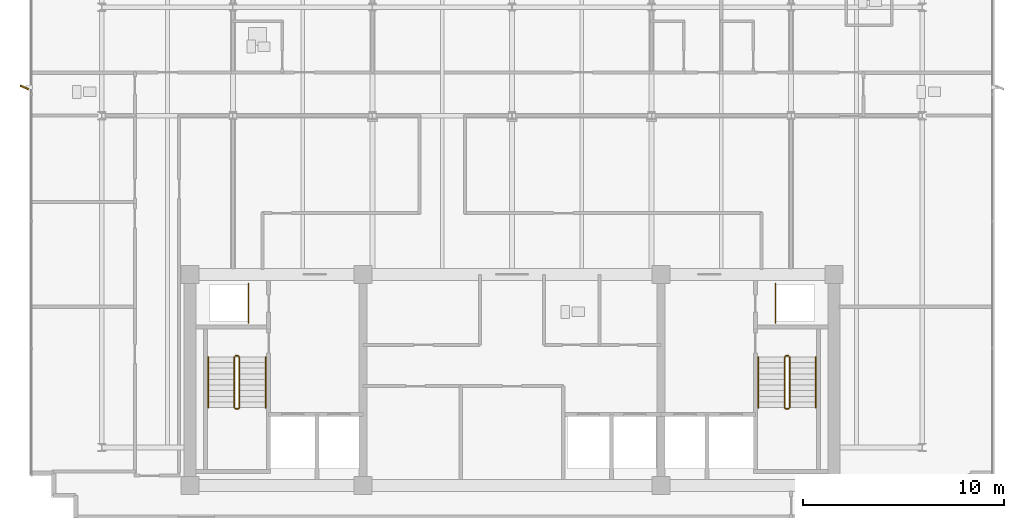
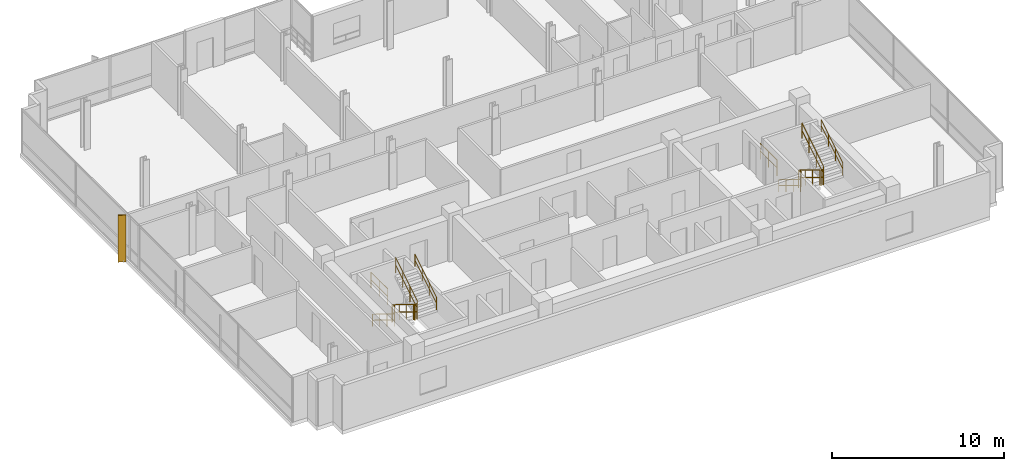
# One storey, part 15 of 17: 14 railings, 1 shading device.
"""IFC4 building model written with IfcOpenShell, lengths in metres."""

from ifc_helpers import new_model, si_unit, direction, frame, origin, origin_2d, place, context, subcontext, project, spatial, rectangle, circle, extrude, material, layer, layer_set, type_object, element, save


model = new_model("IFC4")

# Units and contexts
model_context = context("Model", 3, precision=1e-05, world=origin(), true_north=direction((0.0, 1.0)))
body_context = subcontext(model_context, "Body", "Model", "MODEL_VIEW")
ifc_project = project(units=[si_unit("LENGTHUNIT", "METRE"), si_unit("AREAUNIT", "SQUARE_METRE"), si_unit("VOLUMEUNIT", "CUBIC_METRE"), si_unit("PLANEANGLEUNIT", "RADIAN"), si_unit("MASSUNIT", "GRAM", prefix="KILO")], contexts=[model_context])

# Site, building, storey
site_placement = place(None, origin())
site = spatial("IfcSite", under=ifc_project, at=site_placement, CompositionType="ELEMENT")
building_placement = place(site_placement, origin())
building = spatial("IfcBuilding", under=site, at=building_placement, Name="Solmavex Isthmus Hotel", CompositionType="ELEMENT")
storey_placement = place(building_placement, frame((0.0, 0.0, 269.550048828125)))
storey = spatial("IfcBuildingStorey", under=building, at=storey_placement, Name="L73", CompositionType="ELEMENT", Elevation=269.550048828125)

# Railings
ifc_material_1 = material(Name="Clear low-E laminated glass", Category="glass")
ifc_layer_1 = layer(ifc_material_1, 0.080078125)
ifc_layer_set_1 = layer_set([ifc_layer_1], Name="Clear low-E laminated glass")
railing_type_1 = type_object("IfcRailingType", Name="RAIL-ATRIUM-1120", PredefinedType="BALUSTRADE", material=ifc_layer_set_1)
for number, where, name in (
    (1, (-13.10009765625, -4.89990234375, 0.0), "Guardrail Balustrade L73-RSW-01"),
    (2, (13.10009765625, -4.89990234375, 0.0), "Guardrail Balustrade L73-RSE-01"),
):
    element("IfcRailing", number, at=place(storey_placement, frame(where)), inside=storey, type_object=railing_type_1, Name=name, PredefinedType="BALUSTRADE", context=body_context, shape_type="SweptSolid", body=[
        extrude(circle(Radius=0.02392578125, at=origin_2d()), frame((0.0, 0.0, 1.1259765625), z_axis=(0.0, 1.0, 0.0), x_axis=(-1.0, 0.0, 0.0)), (0.0, 0.0, 1.0), 1.949951171875),
        extrude(circle(Radius=0.02392578125, at=origin_2d()), frame((0.0, 0.0, 0.574951171875), z_axis=(0.0, 1.0, 0.0), x_axis=(-1.0, 0.0, 0.0)), (0.0, 0.0, 1.0), 1.949951171875),
        extrude(circle(Radius=0.02099609375, at=origin_2d()), origin(), (0.0, 0.0, 1.0), 1.101806640625),
        extrude(circle(Radius=0.02099609375, at=origin_2d()), frame((0.0, 0.97509765625, 0.0)), (0.0, 0.0, 1.0), 1.101806640625),
        extrude(circle(Radius=0.02099609375, at=origin_2d()), frame((0.0, 1.949951171875, 0.0)), (0.0, 0.0, 1.0), 1.101806640625),
    ])
ifc_material_2 = material(Name="Stainless steel 316", Category="steel")
ifc_layer_2 = layer(ifc_material_2, 0.06005859375)
ifc_layer_set_2 = layer_set([ifc_layer_2], Name="Stainless steel 316")
railing_type_2 = type_object("IfcRailingType", Name="RAIL-STAIR-GD", PredefinedType="GUARDRAIL", material=ifc_layer_set_2)
railing_1_placement = place(storey_placement, frame((-13.800048828125, -6.60009765625, 0.17236328125)))
element("IfcRailing", 3, at=railing_1_placement, inside=storey, type_object=railing_type_2, Name="L73 ST-1 stair guard 1", PredefinedType="GUARDRAIL", context=body_context, shape_type="SweptSolid", body=[
    extrude(circle(Radius=0.02392578125, at=origin_2d()), frame((0.0, 0.0, 1.09619140625), z_axis=(0.0, -0.851400495292, 0.524516154772), x_axis=(1.0, 0.0, 0.0)), (0.0, 0.0, 1.0), 2.9599609375),
    extrude(circle(Radius=0.02392578125, at=origin_2d()), frame((0.0, 0.0, 0.56005859375), z_axis=(0.0, -0.851400495292, 0.524516154772), x_axis=(1.0, 0.0, 0.0)), (0.0, 0.0, 1.0), 2.9599609375),
    extrude(circle(Radius=0.02099609375, at=origin_2d()), origin(), (0.0, 0.0, 1.0), 1.072021484375),
    extrude(circle(Radius=0.02099609375, at=origin_2d()), frame((0.0, -0.840087890625, 0.517578125)), (0.0, 0.0, 1.0), 1.072021484375),
    extrude(circle(Radius=0.02099609375, at=origin_2d()), frame((0.0, -1.679931640625, 1.034912109375)), (0.0, 0.0, 1.0), 1.072021484375),
    extrude(circle(Radius=0.02099609375, at=origin_2d()), frame((0.0, -2.52001953125, 1.552490234375)), (0.0, 0.0, 1.0), 1.072021484375),
])
railing_2_placement = place(storey_placement, frame((-13.75, -9.169921875, 1.724853515625)))
element("IfcRailing", 4, at=railing_2_placement, inside=storey, type_object=railing_type_2, Name="L73 ST-1 stair guard 2", PredefinedType="GUARDRAIL", context=body_context, shape_type="SweptSolid", body=[
    extrude(circle(Radius=0.02392578125, at=origin_2d()), frame((0.0, 0.0, 1.09619140625), z_axis=(1.0, 0.0, 0.0), x_axis=(0.0, 1.0, 0.0)), (0.0, 0.0, 1.0), 0.14990234375),
    extrude(circle(Radius=0.02392578125, at=origin_2d()), frame((0.0, 0.0, 0.56005859375), z_axis=(1.0, 0.0, 0.0), x_axis=(0.0, 1.0, 0.0)), (0.0, 0.0, 1.0), 0.14990234375),
    extrude(circle(Radius=0.02099609375, at=origin_2d()), origin(), (0.0, 0.0, 1.0), 1.072021484375),
    extrude(circle(Radius=0.02099609375, at=origin_2d()), frame((0.14990234375, 0.0, 0.0)), (0.0, 0.0, 1.0), 1.072021484375),
])
railing_3_placement = place(storey_placement, frame((-13.550048828125, -9.1201171875, 1.8974609375)))
element("IfcRailing", 5, at=railing_3_placement, inside=storey, type_object=railing_type_2, Name="L73 ST-1 stair guard 3", PredefinedType="GUARDRAIL", context=body_context, shape_type="SweptSolid", body=[
    extrude(circle(Radius=0.02392578125, at=origin_2d()), frame((0.0, 0.0, 1.09619140625), z_axis=(0.0, 0.851400495292, 0.524516154772), x_axis=(-1.0, 0.0, 0.0)), (0.0, 0.0, 1.0), 2.9599609375),
    extrude(circle(Radius=0.02392578125, at=origin_2d()), frame((0.0, 0.0, 0.56005859375), z_axis=(0.0, 0.851400495292, 0.524516154772), x_axis=(-1.0, 0.0, 0.0)), (0.0, 0.0, 1.0), 2.9599609375),
    extrude(circle(Radius=0.02099609375, at=origin_2d()), origin(), (0.0, 0.0, 1.0), 1.072021484375),
    extrude(circle(Radius=0.02099609375, at=origin_2d()), frame((0.0, 0.840087890625, 0.517578125)), (0.0, 0.0, 1.0), 1.072021484375),
    extrude(circle(Radius=0.02099609375, at=origin_2d()), frame((0.0, 1.679931640625, 1.034912109375)), (0.0, 0.0, 1.0), 1.072021484375),
    extrude(circle(Radius=0.02099609375, at=origin_2d()), frame((0.0, 2.52001953125, 1.552490234375)), (0.0, 0.0, 1.0), 1.072021484375),
])
railing_4_placement = place(storey_placement, frame((-13.75, -6.550048828125, 0.0)))
element("IfcRailing", 6, at=railing_4_placement, inside=storey, type_object=railing_type_2, Name="L73 ST-1 stair guard 4", PredefinedType="GUARDRAIL", context=body_context, shape_type="SweptSolid", body=[
    extrude(circle(Radius=0.02392578125, at=origin_2d()), frame((0.0, 0.0, 1.09619140625), z_axis=(1.0, 0.0, 0.0), x_axis=(0.0, 1.0, 0.0)), (0.0, 0.0, 1.0), 0.14990234375),
    extrude(circle(Radius=0.02392578125, at=origin_2d()), frame((0.0, 0.0, 0.56005859375), z_axis=(1.0, 0.0, 0.0), x_axis=(0.0, 1.0, 0.0)), (0.0, 0.0, 1.0), 0.14990234375),
    extrude(circle(Radius=0.02099609375, at=origin_2d()), origin(), (0.0, 0.0, 1.0), 1.072021484375),
    extrude(circle(Radius=0.02099609375, at=origin_2d()), frame((0.14990234375, 0.0, 0.0)), (0.0, 0.0, 1.0), 1.072021484375),
])
railing_5_placement = place(storey_placement, frame((13.550048828125, -6.60009765625, 0.17236328125)))
element("IfcRailing", 7, at=railing_5_placement, inside=storey, type_object=railing_type_2, Name="L73 ST-2 stair guard 1", PredefinedType="GUARDRAIL", context=body_context, shape_type="SweptSolid", body=[
    extrude(circle(Radius=0.02392578125, at=origin_2d()), frame((0.0, 0.0, 1.09619140625), z_axis=(0.0, -0.851400495292, 0.524516154772), x_axis=(1.0, 0.0, 0.0)), (0.0, 0.0, 1.0), 2.9599609375),
    extrude(circle(Radius=0.02392578125, at=origin_2d()), frame((0.0, 0.0, 0.56005859375), z_axis=(0.0, -0.851400495292, 0.524516154772), x_axis=(1.0, 0.0, 0.0)), (0.0, 0.0, 1.0), 2.9599609375),
    extrude(circle(Radius=0.02099609375, at=origin_2d()), origin(), (0.0, 0.0, 1.0), 1.072021484375),
    extrude(circle(Radius=0.02099609375, at=origin_2d()), frame((0.0, -0.840087890625, 0.517578125)), (0.0, 0.0, 1.0), 1.072021484375),
    extrude(circle(Radius=0.02099609375, at=origin_2d()), frame((0.0, -1.679931640625, 1.034912109375)), (0.0, 0.0, 1.0), 1.072021484375),
    extrude(circle(Radius=0.02099609375, at=origin_2d()), frame((0.0, -2.52001953125, 1.552490234375)), (0.0, 0.0, 1.0), 1.072021484375),
])
railing_6_placement = place(storey_placement, frame((13.60009765625, -9.169921875, 1.724853515625)))
element("IfcRailing", 8, at=railing_6_placement, inside=storey, type_object=railing_type_2, Name="L73 ST-2 stair guard 2", PredefinedType="GUARDRAIL", context=body_context, shape_type="SweptSolid", body=[
    extrude(circle(Radius=0.02392578125, at=origin_2d()), frame((0.0, 0.0, 1.09619140625), z_axis=(1.0, 0.0, 0.0), x_axis=(0.0, 1.0, 0.0)), (0.0, 0.0, 1.0), 0.14990234375),
    extrude(circle(Radius=0.02392578125, at=origin_2d()), frame((0.0, 0.0, 0.56005859375), z_axis=(1.0, 0.0, 0.0), x_axis=(0.0, 1.0, 0.0)), (0.0, 0.0, 1.0), 0.14990234375),
    extrude(circle(Radius=0.02099609375, at=origin_2d()), origin(), (0.0, 0.0, 1.0), 1.072021484375),
    extrude(circle(Radius=0.02099609375, at=origin_2d()), frame((0.14990234375, 0.0, 0.0)), (0.0, 0.0, 1.0), 1.072021484375),
])
railing_7_placement = place(storey_placement, frame((13.800048828125, -9.1201171875, 1.8974609375)))
element("IfcRailing", 9, at=railing_7_placement, inside=storey, type_object=railing_type_2, Name="L73 ST-2 stair guard 3", PredefinedType="GUARDRAIL", context=body_context, shape_type="SweptSolid", body=[
    extrude(circle(Radius=0.02392578125, at=origin_2d()), frame((0.0, 0.0, 1.09619140625), z_axis=(0.0, 0.851400495292, 0.524516154772), x_axis=(-1.0, 0.0, 0.0)), (0.0, 0.0, 1.0), 2.9599609375),
    extrude(circle(Radius=0.02392578125, at=origin_2d()), frame((0.0, 0.0, 0.56005859375), z_axis=(0.0, 0.851400495292, 0.524516154772), x_axis=(-1.0, 0.0, 0.0)), (0.0, 0.0, 1.0), 2.9599609375),
    extrude(circle(Radius=0.02099609375, at=origin_2d()), origin(), (0.0, 0.0, 1.0), 1.072021484375),
    extrude(circle(Radius=0.02099609375, at=origin_2d()), frame((0.0, 0.840087890625, 0.517578125)), (0.0, 0.0, 1.0), 1.072021484375),
    extrude(circle(Radius=0.02099609375, at=origin_2d()), frame((0.0, 1.679931640625, 1.034912109375)), (0.0, 0.0, 1.0), 1.072021484375),
    extrude(circle(Radius=0.02099609375, at=origin_2d()), frame((0.0, 2.52001953125, 1.552490234375)), (0.0, 0.0, 1.0), 1.072021484375),
])
railing_8_placement = place(storey_placement, frame((13.60009765625, -6.550048828125, 0.0)))
element("IfcRailing", 10, at=railing_8_placement, inside=storey, type_object=railing_type_2, Name="L73 ST-2 stair guard 4", PredefinedType="GUARDRAIL", context=body_context, shape_type="SweptSolid", body=[
    extrude(circle(Radius=0.02392578125, at=origin_2d()), frame((0.0, 0.0, 1.09619140625), z_axis=(1.0, 0.0, 0.0), x_axis=(0.0, 1.0, 0.0)), (0.0, 0.0, 1.0), 0.14990234375),
    extrude(circle(Radius=0.02392578125, at=origin_2d()), frame((0.0, 0.0, 0.56005859375), z_axis=(1.0, 0.0, 0.0), x_axis=(0.0, 1.0, 0.0)), (0.0, 0.0, 1.0), 0.14990234375),
    extrude(circle(Radius=0.02099609375, at=origin_2d()), origin(), (0.0, 0.0, 1.0), 1.072021484375),
    extrude(circle(Radius=0.02099609375, at=origin_2d()), frame((0.14990234375, 0.0, 0.0)), (0.0, 0.0, 1.0), 1.072021484375),
])
ifc_layer_3 = layer(ifc_material_2, 0.050048828125)
ifc_layer_set_3 = layer_set([ifc_layer_3], Name="Stainless steel 316")
railing_type_3 = type_object("IfcRailingType", Name="RAIL-STAIR-HR", PredefinedType="HANDRAIL", material=ifc_layer_set_3)
railing_9_placement = place(storey_placement, frame((-15.10009765625, -6.60009765625, 0.17236328125)))
element("IfcRailing", 11, at=railing_9_placement, inside=storey, type_object=railing_type_3, Name="L73 ST-1 stair handrail 1", PredefinedType="HANDRAIL", context=body_context, shape_type="SweptSolid", body=[
    extrude(circle(Radius=0.02392578125, at=origin_2d()), frame((0.0, 0.0, 0.8759765625), z_axis=(0.0, -0.851400495292, 0.524516154772), x_axis=(1.0, 0.0, 0.0)), (0.0, 0.0, 1.0), 2.9599609375),
    extrude(circle(Radius=0.02392578125, at=origin_2d()), frame((0.0, 0.0, 0.449951171875), z_axis=(0.0, -0.851400495292, 0.524516154772), x_axis=(1.0, 0.0, 0.0)), (0.0, 0.0, 1.0), 2.9599609375),
    extrude(circle(Radius=0.02099609375, at=origin_2d()), origin(), (0.0, 0.0, 1.0), 0.851806640625),
    extrude(circle(Radius=0.02099609375, at=origin_2d()), frame((0.0, -0.840087890625, 0.517578125)), (0.0, 0.0, 1.0), 0.851806640625),
    extrude(circle(Radius=0.02099609375, at=origin_2d()), frame((0.0, -1.679931640625, 1.034912109375)), (0.0, 0.0, 1.0), 0.851806640625),
    extrude(circle(Radius=0.02099609375, at=origin_2d()), frame((0.0, -2.52001953125, 1.552490234375)), (0.0, 0.0, 1.0), 0.851806640625),
])
railing_10_placement = place(storey_placement, frame((-12.25, -9.1201171875, 1.8974609375)))
element("IfcRailing", 12, at=railing_10_placement, inside=storey, type_object=railing_type_3, Name="L73 ST-1 stair handrail 2", PredefinedType="HANDRAIL", context=body_context, shape_type="SweptSolid", body=[
    extrude(circle(Radius=0.02392578125, at=origin_2d()), frame((0.0, 0.0, 0.8759765625), z_axis=(0.0, 0.851400495292, 0.524516154772), x_axis=(-1.0, 0.0, 0.0)), (0.0, 0.0, 1.0), 2.9599609375),
    extrude(circle(Radius=0.02392578125, at=origin_2d()), frame((0.0, 0.0, 0.449951171875), z_axis=(0.0, 0.851400495292, 0.524516154772), x_axis=(-1.0, 0.0, 0.0)), (0.0, 0.0, 1.0), 2.9599609375),
    extrude(circle(Radius=0.02099609375, at=origin_2d()), origin(), (0.0, 0.0, 1.0), 0.851806640625),
    extrude(circle(Radius=0.02099609375, at=origin_2d()), frame((0.0, 0.840087890625, 0.517578125)), (0.0, 0.0, 1.0), 0.851806640625),
    extrude(circle(Radius=0.02099609375, at=origin_2d()), frame((0.0, 1.679931640625, 1.034912109375)), (0.0, 0.0, 1.0), 0.851806640625),
    extrude(circle(Radius=0.02099609375, at=origin_2d()), frame((0.0, 2.52001953125, 1.552490234375)), (0.0, 0.0, 1.0), 0.851806640625),
])
railing_11_placement = place(storey_placement, frame((12.25, -6.60009765625, 0.17236328125)))
element("IfcRailing", 13, at=railing_11_placement, inside=storey, type_object=railing_type_3, Name="L73 ST-2 stair handrail 1", PredefinedType="HANDRAIL", context=body_context, shape_type="SweptSolid", body=[
    extrude(circle(Radius=0.02392578125, at=origin_2d()), frame((0.0, 0.0, 0.8759765625), z_axis=(0.0, -0.851400495292, 0.524516154772), x_axis=(1.0, 0.0, 0.0)), (0.0, 0.0, 1.0), 2.9599609375),
    extrude(circle(Radius=0.02392578125, at=origin_2d()), frame((0.0, 0.0, 0.449951171875), z_axis=(0.0, -0.851400495292, 0.524516154772), x_axis=(1.0, 0.0, 0.0)), (0.0, 0.0, 1.0), 2.9599609375),
    extrude(circle(Radius=0.02099609375, at=origin_2d()), origin(), (0.0, 0.0, 1.0), 0.851806640625),
    extrude(circle(Radius=0.02099609375, at=origin_2d()), frame((0.0, -0.840087890625, 0.517578125)), (0.0, 0.0, 1.0), 0.851806640625),
    extrude(circle(Radius=0.02099609375, at=origin_2d()), frame((0.0, -1.679931640625, 1.034912109375)), (0.0, 0.0, 1.0), 0.851806640625),
    extrude(circle(Radius=0.02099609375, at=origin_2d()), frame((0.0, -2.52001953125, 1.552490234375)), (0.0, 0.0, 1.0), 0.851806640625),
])
railing_12_placement = place(storey_placement, frame((15.10009765625, -9.1201171875, 1.8974609375)))
element("IfcRailing", 14, at=railing_12_placement, inside=storey, type_object=railing_type_3, Name="L73 ST-2 stair handrail 2", PredefinedType="HANDRAIL", context=body_context, shape_type="SweptSolid", body=[
    extrude(circle(Radius=0.02392578125, at=origin_2d()), frame((0.0, 0.0, 0.8759765625), z_axis=(0.0, 0.851400495292, 0.524516154772), x_axis=(-1.0, 0.0, 0.0)), (0.0, 0.0, 1.0), 2.9599609375),
    extrude(circle(Radius=0.02392578125, at=origin_2d()), frame((0.0, 0.0, 0.449951171875), z_axis=(0.0, 0.851400495292, 0.524516154772), x_axis=(-1.0, 0.0, 0.0)), (0.0, 0.0, 1.0), 2.9599609375),
    extrude(circle(Radius=0.02099609375, at=origin_2d()), origin(), (0.0, 0.0, 1.0), 0.851806640625),
    extrude(circle(Radius=0.02099609375, at=origin_2d()), frame((0.0, 0.840087890625, 0.517578125)), (0.0, 0.0, 1.0), 0.851806640625),
    extrude(circle(Radius=0.02099609375, at=origin_2d()), frame((0.0, 1.679931640625, 1.034912109375)), (0.0, 0.0, 1.0), 0.851806640625),
    extrude(circle(Radius=0.02099609375, at=origin_2d()), frame((0.0, 2.52001953125, 1.552490234375)), (0.0, 0.0, 1.0), 0.851806640625),
])

# Shading device
ifc_material_3 = material(Name="Aluminium alloy 6063-T6", Category="aluminium")
shading_device_type = type_object("IfcShadingDeviceType", Name="SHD-FIN-BRONZE", PredefinedType="USERDEFINED", material=ifc_material_3)
shading_device_placement = place(storey_placement, frame((-24.239990234375, 6.800048828125, -0.14013671875), z_axis=(0.0, 0.0, 1.0), x_axis=(-0.913545457643, 0.406736643076, 0.0)))
element("IfcShadingDevice", 15, at=shading_device_placement, inside=storey, type_object=shading_device_type, Name="Anodised Aluminium Solar Fin L73-W1", ObjectType="SOLAR_FIN", PredefinedType="USERDEFINED", context=body_context, shape_type="SweptSolid", body=[
    extrude(rectangle(XDim=0.449951171875, YDim=0.080078125, at=origin_2d()), origin(), (0.0, 0.0, 1.0), 3.330078125),
])

save(model, "model.ifc")
